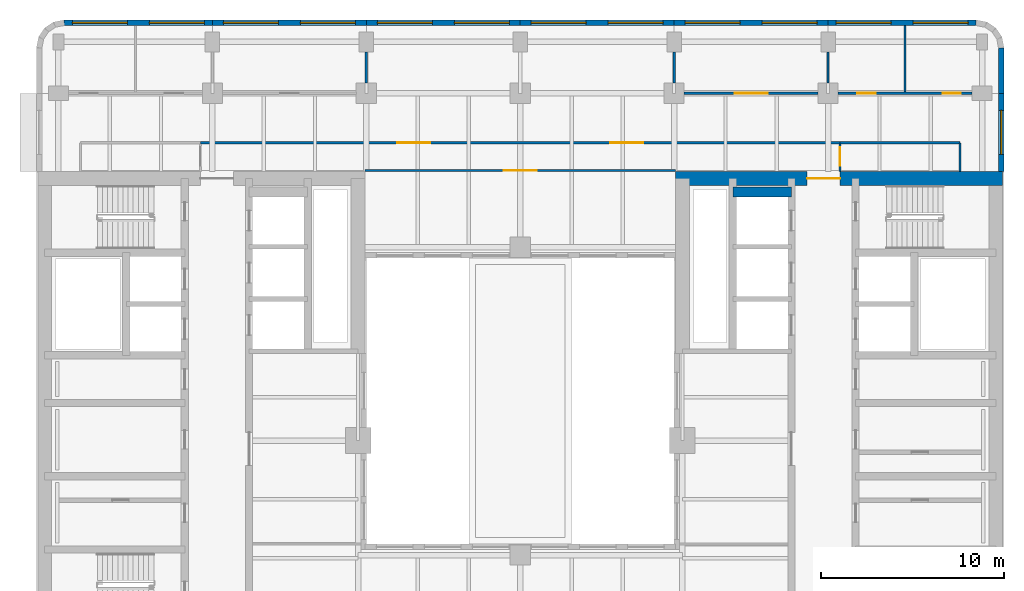
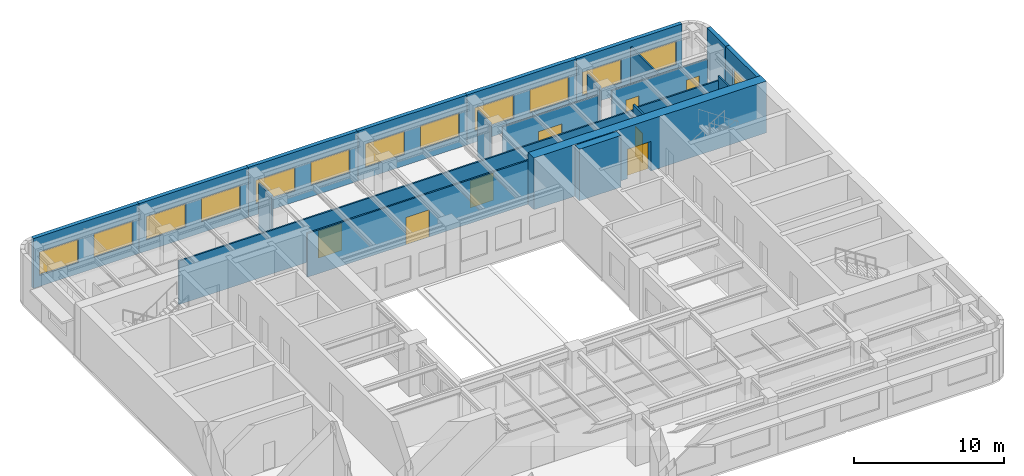
# One storey, part 7 of 11: 21 walls, 13 windows, 8 doors, 21 openings.
"""IFC4 building model written with IfcOpenShell, lengths in metres."""

from ifc_helpers import new_model, si_unit, direction, frame, frame_2d, origin, place, context, subcontext, project, spatial, rectangle, extrude, material, layer, layer_set, type_object, element, fill, save


model = new_model("IFC4")

# Units and contexts
model_context = context("Model", 3, precision=1e-05, world=origin(), true_north=direction((0.0, 1.0)))
body_context = subcontext(model_context, "Body", "Model", "MODEL_VIEW")
ifc_project = project(units=[si_unit("LENGTHUNIT", "METRE"), si_unit("AREAUNIT", "SQUARE_METRE"), si_unit("VOLUMEUNIT", "CUBIC_METRE"), si_unit("PLANEANGLEUNIT", "RADIAN"), si_unit("MASSUNIT", "GRAM", prefix="KILO")], contexts=[model_context])

# Site, building, storey
site_placement = place(None, origin())
site = spatial("IfcSite", under=ifc_project, at=site_placement, CompositionType="ELEMENT")
building_placement = place(site_placement, origin())
building = spatial("IfcBuilding", under=site, at=building_placement, Name="Claustro Exchange Tower", CompositionType="ELEMENT")
storey_placement = place(building_placement, frame((0.0, 0.0, 177.60009765625)))
storey = spatial("IfcBuildingStorey", under=building, at=storey_placement, Name="L40", CompositionType="ELEMENT", Elevation=177.60009765625)

# Wall
ifc_material_1 = material(Name="Laminated glass in aluminium frame", Category="aluminium")
ifc_layer_1 = layer(ifc_material_1, 0.1201171875)
ifc_layer_set_1 = layer_set([ifc_layer_1], Name="Laminated glass in aluminium frame")
wall_type_1 = type_object("IfcWallType", Name="P2 120 glazed partition", PredefinedType="PARTITIONING", material=ifc_layer_set_1)
wall_1_placement = place(storey_placement, frame((16.800048828125, 42.549072265625, 0.0), z_axis=(0.0, 0.0, 1.0), x_axis=(0.0, 1.0, 0.0)))
element("IfcWall", 1, at=wall_1_placement, inside=storey, type_object=wall_type_1, Name="Partition P2 L40", PredefinedType="PARTITIONING", context=body_context, shape_type="SweptSolid", body=[
    extrude(rectangle(XDim=1.701904296875, YDim=0.1201171875, at=frame_2d((0.85107421875, 0.0))), origin(), (0.0, 0.0, 1.0), 3.68994140625),
])

# Wall, opening, door
wall_2_placement = place(storey_placement, frame((34.14892578125, 42.0, 0.0), z_axis=(0.0, 0.0, 1.0), x_axis=(1.0, 0.0, 0.0)))
wall_2 = element("IfcWall", 2, at=wall_2_placement, inside=storey, type_object=wall_type_1, Name="Partition P2 L40", PredefinedType="PARTITIONING", context=body_context, shape_type="SweptSolid", body=[
    extrude(rectangle(XDim=7.302001953125, YDim=0.1201171875, at=frame_2d((3.65087890625, 0.0))), origin(), (0.0, 0.0, 1.0), 3.5498046875),
])
opening_1_placement = place(wall_2_placement, frame((2.7509765625, 0.0, 0.0)))
opening_1 = element("IfcOpeningElement", 3, at=opening_1_placement, cuts=wall_2, Name="Opening D2", PredefinedType="OPENING", context=body_context, shape_type="SweptSolid", body=[
    extrude(rectangle(XDim=1.800048828125, YDim=2.199951171875, at=frame_2d((0.89990234375, 1.10009765625))), frame((0.0, 0.070068359375, 0.0), z_axis=(0.0, -1.0, 0.0), x_axis=(1.0, 0.0, 0.0)), (0.0, 0.0, 1.0), 0.14013671875),
])
ifc_material_2 = material(Name="Timber door, oak veneer", Category="wood")
door_type_1 = type_object("IfcDoorType", Name="D2 1800 x 2200 double door", OperationType="DOUBLE_DOOR_SINGLE_SWING", PredefinedType="DOOR", material=ifc_material_2)
door_1_placement = place(opening_1_placement, origin())
door_1 = element("IfcDoor", 4, at=door_1_placement, inside=storey, type_object=door_type_1, Name="Double door D2 L40", OperationType="DOUBLE_DOOR_SINGLE_SWING", OverallHeight=2.199951171875, OverallWidth=1.800048828125, PredefinedType="DOOR", context=body_context, shape_type="SweptSolid", body=[
    extrude(rectangle(XDim=1.800048828125, YDim=2.199951171875, at=frame_2d((0.89990234375, 1.10009765625))), frame((0.0, 0.02490234375, 0.0), z_axis=(0.0, -1.0, 0.0), x_axis=(1.0, 0.0, 0.0)), (0.0, 0.0, 1.0), 0.050048828125),
])
fill(opening_1, door_1)

# Wall, openings, doors
wall_3_placement = place(storey_placement, frame((42.549072265625, 42.0, 0.0), z_axis=(0.0, 0.0, 1.0), x_axis=(1.0, 0.0, 0.0)))
wall_3 = element("IfcWall", 5, at=wall_3_placement, inside=storey, type_object=wall_type_1, Name="Partition P2 L40", PredefinedType="PARTITIONING", context=body_context, shape_type="SweptSolid", body=[
    extrude(rectangle(XDim=7.302001953125, YDim=0.1201171875, at=frame_2d((3.65087890625, 0.0))), origin(), (0.0, 0.0, 1.0), 3.5498046875),
])
opening_2_placement = place(wall_3_placement, frame((1.051025390625, 0.0, 0.0)))
opening_2 = element("IfcOpeningElement", 6, at=opening_2_placement, cuts=wall_3, Name="Opening D7", PredefinedType="OPENING", context=body_context, shape_type="SweptSolid", body=[
    extrude(rectangle(XDim=1.0, YDim=2.39990234375, at=frame_2d((0.5, 1.199951171875))), frame((0.0, 0.070068359375, 0.0), z_axis=(0.0, -1.0, 0.0), x_axis=(1.0, 0.0, 0.0)), (0.0, 0.0, 1.0), 0.14013671875),
])
opening_3_placement = place(wall_3_placement, frame((5.700927734375, 0.0, 0.0)))
opening_3 = element("IfcOpeningElement", 7, at=opening_3_placement, cuts=wall_3, Name="Opening D7", PredefinedType="OPENING", context=body_context, shape_type="SweptSolid", body=[
    extrude(rectangle(XDim=1.0, YDim=2.39990234375, at=frame_2d((0.5, 1.199951171875))), frame((0.0, 0.070068359375, 0.0), z_axis=(0.0, -1.0, 0.0), x_axis=(1.0, 0.0, 0.0)), (0.0, 0.0, 1.0), 0.14013671875),
])
ifc_material_3 = material(Name="Glass door in aluminium frame", Category="aluminium")
door_type_2 = type_object("IfcDoorType", Name="D7 1000 x 2400 glazed door", OperationType="SINGLE_SWING_LEFT", PredefinedType="DOOR", material=ifc_material_3)
door_2_placement = place(opening_2_placement, origin())
door_2 = element("IfcDoor", 8, at=door_2_placement, inside=storey, type_object=door_type_2, Name="Door D7 L40", OperationType="SINGLE_SWING_LEFT", OverallHeight=2.39990234375, OverallWidth=1.0, PredefinedType="DOOR", context=body_context, shape_type="SweptSolid", body=[
    extrude(rectangle(XDim=1.0, YDim=2.39990234375, at=frame_2d((0.5, 1.199951171875))), frame((0.0, 0.02490234375, 0.0), z_axis=(0.0, -1.0, 0.0), x_axis=(1.0, 0.0, 0.0)), (0.0, 0.0, 1.0), 0.050048828125),
])
fill(opening_2, door_2)
door_3_placement = place(opening_3_placement, origin())
door_3 = element("IfcDoor", 9, at=door_3_placement, inside=storey, type_object=door_type_2, Name="Door D7 L40", OperationType="SINGLE_SWING_LEFT", OverallHeight=2.39990234375, OverallWidth=1.0, PredefinedType="DOOR", context=body_context, shape_type="SweptSolid", body=[
    extrude(rectangle(XDim=1.0, YDim=2.39990234375, at=frame_2d((0.5, 1.199951171875))), frame((0.0, 0.02490234375, 0.0), z_axis=(0.0, -1.0, 0.0), x_axis=(1.0, 0.0, 0.0)), (0.0, 0.0, 1.0), 0.050048828125),
])
fill(opening_3, door_3)

# Walls
for number, where, z_axis, x_axis, name in (
    (10, (33.60009765625, 42.549072265625, 0.0), (0.0, 0.0, 1.0), (0.0, 1.0, 0.0), "Partition P2 L40"),
    (11, (42.0, 42.549072265625, 0.0), (0.0, 0.0, 1.0), (0.0, 1.0, 0.0), "Partition P2 L40"),
):
    element("IfcWall", number, at=place(storey_placement, frame(where, z_axis=z_axis, x_axis=x_axis)), inside=storey, type_object=wall_type_1, Name=name, PredefinedType="PARTITIONING", context=body_context, shape_type="SweptSolid", body=[
        extrude(rectangle(XDim=1.701904296875, YDim=0.1201171875, at=frame_2d((0.85107421875, 0.0))), origin(), (0.0, 0.0, 1.0), 3.68994140625),
    ])
wall_4_placement = place(storey_placement, frame((46.199951171875, 42.05810546875, 0.0), z_axis=(0.0, 0.0, 1.0), x_axis=(0.0, 1.0, 0.0)))
element("IfcWall", 12, at=wall_4_placement, inside=storey, type_object=wall_type_1, Name="Partition P2 L40", PredefinedType="PARTITIONING", context=body_context, shape_type="SweptSolid", body=[
    extrude(rectangle(XDim=3.643798828125, YDim=0.1201171875, at=frame_2d((1.82177734375, 0.0))), origin(), (0.0, 0.0, 1.0), 3.5498046875),
])

# Wall, openings, doors
wall_5_placement = place(storey_placement, frame((7.748046875, 39.300048828125, 0.0), z_axis=(0.0, 0.0, 1.0), x_axis=(1.0, 0.0, 0.0)))
wall_5 = element("IfcWall", 13, at=wall_5_placement, inside=storey, type_object=wall_type_1, Name="Partition P2 L40", PredefinedType="PARTITIONING", context=body_context, shape_type="SweptSolid", body=[
    extrude(rectangle(XDim=34.904052734375, YDim=0.1201171875, at=frame_2d((17.4521484375, 0.0))), origin(), (0.0, 0.0, 1.0), 3.5498046875),
])
opening_4_placement = place(wall_5_placement, frame((10.7353515625, 0.0, 0.0)))
opening_4 = element("IfcOpeningElement", 14, at=opening_4_placement, cuts=wall_5, Name="Opening D2", PredefinedType="OPENING", context=body_context, shape_type="SweptSolid", body=[
    extrude(rectangle(XDim=1.800048828125, YDim=2.199951171875, at=frame_2d((0.89990234375, 1.10009765625))), frame((0.0, 0.070068359375, 0.0), z_axis=(0.0, -1.0, 0.0), x_axis=(1.0, 0.0, 0.0)), (0.0, 0.0, 1.0), 0.14013671875),
])
opening_5_placement = place(wall_5_placement, frame((22.36865234375, 0.0, 0.0)))
opening_5 = element("IfcOpeningElement", 15, at=opening_5_placement, cuts=wall_5, Name="Opening D2", PredefinedType="OPENING", context=body_context, shape_type="SweptSolid", body=[
    extrude(rectangle(XDim=1.800048828125, YDim=2.199951171875, at=frame_2d((0.89990234375, 1.10009765625))), frame((0.0, 0.070068359375, 0.0), z_axis=(0.0, -1.0, 0.0), x_axis=(1.0, 0.0, 0.0)), (0.0, 0.0, 1.0), 0.14013671875),
])
door_4_placement = place(opening_4_placement, origin())
door_4 = element("IfcDoor", 16, at=door_4_placement, inside=storey, type_object=door_type_1, Name="Double door D2 L40", OperationType="DOUBLE_DOOR_SINGLE_SWING", OverallHeight=2.199951171875, OverallWidth=1.800048828125, PredefinedType="DOOR", context=body_context, shape_type="SweptSolid", body=[
    extrude(rectangle(XDim=1.800048828125, YDim=2.199951171875, at=frame_2d((0.89990234375, 1.10009765625))), frame((0.0, 0.02490234375, 0.0), z_axis=(0.0, -1.0, 0.0), x_axis=(1.0, 0.0, 0.0)), (0.0, 0.0, 1.0), 0.050048828125),
])
fill(opening_4, door_4)
door_5_placement = place(opening_5_placement, origin())
door_5 = element("IfcDoor", 17, at=door_5_placement, inside=storey, type_object=door_type_1, Name="Double door D2 L40", OperationType="DOUBLE_DOOR_SINGLE_SWING", OverallHeight=2.199951171875, OverallWidth=1.800048828125, PredefinedType="DOOR", context=body_context, shape_type="SweptSolid", body=[
    extrude(rectangle(XDim=1.800048828125, YDim=2.199951171875, at=frame_2d((0.89990234375, 1.10009765625))), frame((0.0, 0.02490234375, 0.0), z_axis=(0.0, -1.0, 0.0), x_axis=(1.0, 0.0, 0.0)), (0.0, 0.0, 1.0), 0.050048828125),
])
fill(opening_5, door_5)

# Wall, opening, door
wall_6_placement = place(storey_placement, frame((42.64990234375, 37.72412109375, 0.0), z_axis=(0.0, 0.0, 1.0), x_axis=(0.0, 1.0, 0.0)))
wall_6 = element("IfcWall", 18, at=wall_6_placement, inside=storey, type_object=wall_type_1, Name="Partition P2 L40", PredefinedType="PARTITIONING", context=body_context, shape_type="SweptSolid", body=[
    extrude(rectangle(XDim=1.517822265625, YDim=0.1201171875, at=frame_2d((0.7587890625, 0.0))), origin(), (0.0, 0.0, 1.0), 4.0498046875),
])
opening_6_placement = place(wall_6_placement, frame((0.325927734375, 0.0, 0.0)))
opening_6 = element("IfcOpeningElement", 19, at=opening_6_placement, cuts=wall_6, Name="Opening D7", PredefinedType="OPENING", context=body_context, shape_type="SweptSolid", body=[
    extrude(rectangle(XDim=1.0, YDim=2.39990234375, at=frame_2d((0.5, 1.199951171875))), frame((0.0, 0.070068359375, 0.0), z_axis=(0.0, -1.0, 0.0), x_axis=(1.0, 0.0, 0.0)), (0.0, 0.0, 1.0), 0.14013671875),
])
door_6_placement = place(opening_6_placement, frame((1.0, 0.0, 0.0), z_axis=(0.0, 0.0, 1.0), x_axis=(-1.0, 0.0, 0.0)))
door_6 = element("IfcDoor", 20, at=door_6_placement, inside=storey, type_object=door_type_2, Name="Door D7 L40", OperationType="SINGLE_SWING_RIGHT", OverallHeight=2.39990234375, OverallWidth=1.0, PredefinedType="DOOR", context=body_context, shape_type="SweptSolid", body=[
    extrude(rectangle(XDim=1.0, YDim=2.39990234375, at=frame_2d((0.5, 1.199951171875))), frame((0.0, 0.02490234375, 0.0), z_axis=(0.0, -1.0, 0.0), x_axis=(1.0, 0.0, 0.0)), (0.0, 0.0, 1.0), 0.050048828125),
])
fill(opening_6, door_6)

# Walls
wall_7_placement = place(storey_placement, frame((42.64794921875, 39.300048828125, 0.0), z_axis=(0.0, 0.0, 1.0), x_axis=(1.0, 0.0, 0.0)))
element("IfcWall", 21, at=wall_7_placement, inside=storey, type_object=wall_type_1, Name="Partition P2 L40", PredefinedType="PARTITIONING", context=body_context, shape_type="SweptSolid", body=[
    extrude(rectangle(XDim=6.552001953125, YDim=0.1201171875, at=frame_2d((3.27587890625, 0.0))), origin(), (0.0, 0.0, 1.0), 3.68994140625),
])
wall_8_placement = place(storey_placement, frame((49.199951171875, 37.72412109375, 0.0), z_axis=(0.0, 0.0, 1.0), x_axis=(0.0, 1.0, 0.0)))
element("IfcWall", 22, at=wall_8_placement, inside=storey, type_object=wall_type_1, Name="Partition P2 L40", PredefinedType="PARTITIONING", context=body_context, shape_type="SweptSolid", body=[
    extrude(rectangle(XDim=1.575927734375, YDim=0.1201171875, at=frame_2d((0.7880859375, 0.0))), origin(), (0.0, 0.0, 1.0), 4.0498046875),
])

# Wall, opening, door
wall_9_placement = place(storey_placement, frame((16.72509765625, 37.784912109375, 0.0), z_axis=(0.0, 0.0, 1.0), x_axis=(1.0, 0.0, 0.0)))
wall_9 = element("IfcWall", 23, at=wall_9_placement, inside=storey, type_object=wall_type_1, Name="Partition P2 L40", PredefinedType="PARTITIONING", context=body_context, shape_type="SweptSolid", body=[
    extrude(rectangle(XDim=16.949951171875, YDim=0.1201171875, at=frame_2d((8.47509765625, 0.0))), origin(), (0.0, 0.0, 1.0), 3.5498046875),
])
opening_7_placement = place(wall_9_placement, frame((7.574951171875, 0.0, 0.0)))
opening_7 = element("IfcOpeningElement", 24, at=opening_7_placement, cuts=wall_9, Name="Opening D2", PredefinedType="OPENING", context=body_context, shape_type="SweptSolid", body=[
    extrude(rectangle(XDim=1.800048828125, YDim=2.199951171875, at=frame_2d((0.89990234375, 1.10009765625))), frame((0.0, 0.070068359375, 0.0), z_axis=(0.0, -1.0, 0.0), x_axis=(1.0, 0.0, 0.0)), (0.0, 0.0, 1.0), 0.14013671875),
])
door_7_placement = place(opening_7_placement, frame((1.800048828125, 0.0, 0.0), z_axis=(0.0, 0.0, 1.0), x_axis=(-1.0, 0.0, 0.0)))
door_7 = element("IfcDoor", 25, at=door_7_placement, inside=storey, type_object=door_type_1, Name="Double door D2 L40", OperationType="DOUBLE_DOOR_SINGLE_SWING", OverallHeight=2.199951171875, OverallWidth=1.800048828125, PredefinedType="DOOR", context=body_context, shape_type="SweptSolid", body=[
    extrude(rectangle(XDim=1.800048828125, YDim=2.199951171875, at=frame_2d((0.89990234375, 1.10009765625))), frame((0.0, 0.02490234375, 0.0), z_axis=(0.0, -1.0, 0.0), x_axis=(1.0, 0.0, 0.0)), (0.0, 0.0, 1.0), 0.050048828125),
])
fill(opening_7, door_7)

# Wall, openings, windows
ifc_material_4 = material(Name="Concrete HA-40 (C40/50), precast, white cement, acid-etched", Category="concrete")
ifc_layer_2 = layer(ifc_material_4, 0.300048828125)
ifc_layer_set_2 = layer_set([ifc_layer_2], Name="Concrete HA-40 (C40/50), precast, white cement, acid-etched")
wall_type_2 = type_object("IfcWallType", Name="PC1 300 precast concrete pier panel", PredefinedType="SOLIDWALL", material=ifc_layer_set_2)
wall_10_placement = place(storey_placement, frame((0.314697265625, 45.85009765625, 0.0), z_axis=(0.0, 0.0, 1.0), x_axis=(1.0, 0.0, 0.0)))
wall_10 = element("IfcWall", 26, at=wall_10_placement, inside=storey, type_object=wall_type_2, Name="Precast pier panel PC1 L40", PredefinedType="SOLIDWALL", context=body_context, shape_type="SweptSolid", body=[
    extrude(rectangle(XDim=8.085205078125, YDim=0.300048828125, at=frame_2d((4.04248046875, 0.0))), origin(), (0.0, 0.0, 1.0), 4.0498046875),
])
opening_8_placement = place(wall_10_placement, frame((0.442626953125, 0.0, 0.89990234375)))
opening_8 = element("IfcOpeningElement", 27, at=opening_8_placement, cuts=wall_10, Name="Opening W1", PredefinedType="OPENING", context=body_context, shape_type="SweptSolid", body=[
    extrude(rectangle(XDim=3.0, YDim=1.89990234375, at=frame_2d((1.5, 0.949951171875))), frame((0.0, 0.159912109375, 0.0), z_axis=(0.0, -1.0, 0.0), x_axis=(1.0, 0.0, 0.0)), (0.0, 0.0, 1.0), 0.320068359375),
])
opening_9_placement = place(wall_10_placement, frame((4.642578125, 0.0, 0.89990234375)))
opening_9 = element("IfcOpeningElement", 28, at=opening_9_placement, cuts=wall_10, Name="Opening W1", PredefinedType="OPENING", context=body_context, shape_type="SweptSolid", body=[
    extrude(rectangle(XDim=3.0, YDim=1.89990234375, at=frame_2d((1.5, 0.949951171875))), frame((0.0, 0.159912109375, 0.0), z_axis=(0.0, -1.0, 0.0), x_axis=(1.0, 0.0, 0.0)), (0.0, 0.0, 1.0), 0.320068359375),
])
ifc_material_5 = material(Name="Aluminium frame, clear double glazing", Category="aluminium")
window_type_1 = type_object("IfcWindowType", Name="W1 3000 x 1900 window", PartitioningType="SINGLE_PANEL", PredefinedType="WINDOW", material=ifc_material_5)
window_1_placement = place(opening_8_placement, origin())
window_1 = element("IfcWindow", 29, at=window_1_placement, inside=storey, type_object=window_type_1, Name="Window W1 L40", OverallHeight=1.89990234375, OverallWidth=3.0, PartitioningType="SINGLE_PANEL", PredefinedType="WINDOW", context=body_context, shape_type="SweptSolid", body=[
    extrude(rectangle(XDim=3.0, YDim=1.89990234375, at=frame_2d((1.5, 0.949951171875))), frame((0.0, 0.030029296875, 0.0), z_axis=(0.0, -1.0, 0.0), x_axis=(1.0, 0.0, 0.0)), (0.0, 0.0, 1.0), 0.06005859375),
])
fill(opening_8, window_1)
window_2_placement = place(opening_9_placement, origin())
window_2 = element("IfcWindow", 30, at=window_2_placement, inside=storey, type_object=window_type_1, Name="Window W1 L40", OverallHeight=1.89990234375, OverallWidth=3.0, PartitioningType="SINGLE_PANEL", PredefinedType="WINDOW", context=body_context, shape_type="SweptSolid", body=[
    extrude(rectangle(XDim=3.0, YDim=1.89990234375, at=frame_2d((1.5, 0.949951171875))), frame((0.0, 0.030029296875, 0.0), z_axis=(0.0, -1.0, 0.0), x_axis=(1.0, 0.0, 0.0)), (0.0, 0.0, 1.0), 0.06005859375),
])
fill(opening_9, window_2)

wall_11_placement = place(storey_placement, frame((8.39990234375, 45.85009765625, 0.0), z_axis=(0.0, 0.0, 1.0), x_axis=(1.0, 0.0, 0.0)))
wall_11 = element("IfcWall", 31, at=wall_11_placement, inside=storey, type_object=wall_type_2, Name="Precast pier panel PC1 L40", PredefinedType="SOLIDWALL", context=body_context, shape_type="SweptSolid", body=[
    extrude(rectangle(XDim=8.400146484375, YDim=0.300048828125, at=frame_2d((4.2001953125, 0.0))), origin(), (0.0, 0.0, 1.0), 4.0498046875),
])
opening_10_placement = place(wall_11_placement, frame((0.60009765625, 0.0, 0.89990234375)))
opening_10 = element("IfcOpeningElement", 32, at=opening_10_placement, cuts=wall_11, Name="Opening W1", PredefinedType="OPENING", context=body_context, shape_type="SweptSolid", body=[
    extrude(rectangle(XDim=3.0, YDim=1.89990234375, at=frame_2d((1.5, 0.949951171875))), frame((0.0, 0.159912109375, 0.0), z_axis=(0.0, -1.0, 0.0), x_axis=(1.0, 0.0, 0.0)), (0.0, 0.0, 1.0), 0.320068359375),
])
opening_11_placement = place(wall_11_placement, frame((4.800048828125, 0.0, 0.89990234375)))
opening_11 = element("IfcOpeningElement", 33, at=opening_11_placement, cuts=wall_11, Name="Opening W1", PredefinedType="OPENING", context=body_context, shape_type="SweptSolid", body=[
    extrude(rectangle(XDim=3.0, YDim=1.89990234375, at=frame_2d((1.5, 0.949951171875))), frame((0.0, 0.159912109375, 0.0), z_axis=(0.0, -1.0, 0.0), x_axis=(1.0, 0.0, 0.0)), (0.0, 0.0, 1.0), 0.320068359375),
])
window_3_placement = place(opening_10_placement, origin())
window_3 = element("IfcWindow", 34, at=window_3_placement, inside=storey, type_object=window_type_1, Name="Window W1 L40", OverallHeight=1.89990234375, OverallWidth=3.0, PartitioningType="SINGLE_PANEL", PredefinedType="WINDOW", context=body_context, shape_type="SweptSolid", body=[
    extrude(rectangle(XDim=3.0, YDim=1.89990234375, at=frame_2d((1.5, 0.949951171875))), frame((0.0, 0.030029296875, 0.0), z_axis=(0.0, -1.0, 0.0), x_axis=(1.0, 0.0, 0.0)), (0.0, 0.0, 1.0), 0.06005859375),
])
fill(opening_10, window_3)
window_4_placement = place(opening_11_placement, origin())
window_4 = element("IfcWindow", 35, at=window_4_placement, inside=storey, type_object=window_type_1, Name="Window W1 L40", OverallHeight=1.89990234375, OverallWidth=3.0, PartitioningType="SINGLE_PANEL", PredefinedType="WINDOW", context=body_context, shape_type="SweptSolid", body=[
    extrude(rectangle(XDim=3.0, YDim=1.89990234375, at=frame_2d((1.5, 0.949951171875))), frame((0.0, 0.030029296875, 0.0), z_axis=(0.0, -1.0, 0.0), x_axis=(1.0, 0.0, 0.0)), (0.0, 0.0, 1.0), 0.06005859375),
])
fill(opening_11, window_4)

wall_12_placement = place(storey_placement, frame((16.800048828125, 45.85009765625, 0.0), z_axis=(0.0, 0.0, 1.0), x_axis=(1.0, 0.0, 0.0)))
wall_12 = element("IfcWall", 36, at=wall_12_placement, inside=storey, type_object=wall_type_2, Name="Precast pier panel PC1 L40", PredefinedType="SOLIDWALL", context=body_context, shape_type="SweptSolid", body=[
    extrude(rectangle(XDim=8.39990234375, YDim=0.300048828125, at=frame_2d((4.199951171875, 0.0))), origin(), (0.0, 0.0, 1.0), 4.0498046875),
])
opening_12_placement = place(wall_12_placement, frame((0.60009765625, 0.0, 0.89990234375)))
opening_12 = element("IfcOpeningElement", 37, at=opening_12_placement, cuts=wall_12, Name="Opening W1", PredefinedType="OPENING", context=body_context, shape_type="SweptSolid", body=[
    extrude(rectangle(XDim=3.0, YDim=1.89990234375, at=frame_2d((1.5, 0.949951171875))), frame((0.0, 0.159912109375, 0.0), z_axis=(0.0, -1.0, 0.0), x_axis=(1.0, 0.0, 0.0)), (0.0, 0.0, 1.0), 0.320068359375),
])
opening_13_placement = place(wall_12_placement, frame((4.800048828125, 0.0, 0.89990234375)))
opening_13 = element("IfcOpeningElement", 38, at=opening_13_placement, cuts=wall_12, Name="Opening W1", PredefinedType="OPENING", context=body_context, shape_type="SweptSolid", body=[
    extrude(rectangle(XDim=3.0, YDim=1.89990234375, at=frame_2d((1.5, 0.949951171875))), frame((0.0, 0.159912109375, 0.0), z_axis=(0.0, -1.0, 0.0), x_axis=(1.0, 0.0, 0.0)), (0.0, 0.0, 1.0), 0.320068359375),
])
window_5_placement = place(opening_12_placement, origin())
window_5 = element("IfcWindow", 39, at=window_5_placement, inside=storey, type_object=window_type_1, Name="Window W1 L40", OverallHeight=1.89990234375, OverallWidth=3.0, PartitioningType="SINGLE_PANEL", PredefinedType="WINDOW", context=body_context, shape_type="SweptSolid", body=[
    extrude(rectangle(XDim=3.0, YDim=1.89990234375, at=frame_2d((1.5, 0.949951171875))), frame((0.0, 0.030029296875, 0.0), z_axis=(0.0, -1.0, 0.0), x_axis=(1.0, 0.0, 0.0)), (0.0, 0.0, 1.0), 0.06005859375),
])
fill(opening_12, window_5)
window_6_placement = place(opening_13_placement, origin())
window_6 = element("IfcWindow", 40, at=window_6_placement, inside=storey, type_object=window_type_1, Name="Window W1 L40", OverallHeight=1.89990234375, OverallWidth=3.0, PartitioningType="SINGLE_PANEL", PredefinedType="WINDOW", context=body_context, shape_type="SweptSolid", body=[
    extrude(rectangle(XDim=3.0, YDim=1.89990234375, at=frame_2d((1.5, 0.949951171875))), frame((0.0, 0.030029296875, 0.0), z_axis=(0.0, -1.0, 0.0), x_axis=(1.0, 0.0, 0.0)), (0.0, 0.0, 1.0), 0.06005859375),
])
fill(opening_13, window_6)

wall_13_placement = place(storey_placement, frame((25.199951171875, 45.85009765625, 0.0), z_axis=(0.0, 0.0, 1.0), x_axis=(1.0, 0.0, 0.0)))
wall_13 = element("IfcWall", 41, at=wall_13_placement, inside=storey, type_object=wall_type_2, Name="Precast pier panel PC1 L40", PredefinedType="SOLIDWALL", context=body_context, shape_type="SweptSolid", body=[
    extrude(rectangle(XDim=8.400146484375, YDim=0.300048828125, at=frame_2d((4.2001953125, 0.0))), origin(), (0.0, 0.0, 1.0), 4.0498046875),
])
opening_14_placement = place(wall_13_placement, frame((0.60009765625, 0.0, 0.89990234375)))
opening_14 = element("IfcOpeningElement", 42, at=opening_14_placement, cuts=wall_13, Name="Opening W1", PredefinedType="OPENING", context=body_context, shape_type="SweptSolid", body=[
    extrude(rectangle(XDim=3.0, YDim=1.89990234375, at=frame_2d((1.5, 0.949951171875))), frame((0.0, 0.159912109375, 0.0), z_axis=(0.0, -1.0, 0.0), x_axis=(1.0, 0.0, 0.0)), (0.0, 0.0, 1.0), 0.320068359375),
])
opening_15_placement = place(wall_13_placement, frame((4.800048828125, 0.0, 0.89990234375)))
opening_15 = element("IfcOpeningElement", 43, at=opening_15_placement, cuts=wall_13, Name="Opening W1", PredefinedType="OPENING", context=body_context, shape_type="SweptSolid", body=[
    extrude(rectangle(XDim=3.0, YDim=1.89990234375, at=frame_2d((1.5, 0.949951171875))), frame((0.0, 0.159912109375, 0.0), z_axis=(0.0, -1.0, 0.0), x_axis=(1.0, 0.0, 0.0)), (0.0, 0.0, 1.0), 0.320068359375),
])
window_7_placement = place(opening_14_placement, origin())
window_7 = element("IfcWindow", 44, at=window_7_placement, inside=storey, type_object=window_type_1, Name="Window W1 L40", OverallHeight=1.89990234375, OverallWidth=3.0, PartitioningType="SINGLE_PANEL", PredefinedType="WINDOW", context=body_context, shape_type="SweptSolid", body=[
    extrude(rectangle(XDim=3.0, YDim=1.89990234375, at=frame_2d((1.5, 0.949951171875))), frame((0.0, 0.030029296875, 0.0), z_axis=(0.0, -1.0, 0.0), x_axis=(1.0, 0.0, 0.0)), (0.0, 0.0, 1.0), 0.06005859375),
])
fill(opening_14, window_7)
window_8_placement = place(opening_15_placement, origin())
window_8 = element("IfcWindow", 45, at=window_8_placement, inside=storey, type_object=window_type_1, Name="Window W1 L40", OverallHeight=1.89990234375, OverallWidth=3.0, PartitioningType="SINGLE_PANEL", PredefinedType="WINDOW", context=body_context, shape_type="SweptSolid", body=[
    extrude(rectangle(XDim=3.0, YDim=1.89990234375, at=frame_2d((1.5, 0.949951171875))), frame((0.0, 0.030029296875, 0.0), z_axis=(0.0, -1.0, 0.0), x_axis=(1.0, 0.0, 0.0)), (0.0, 0.0, 1.0), 0.06005859375),
])
fill(opening_15, window_8)

wall_14_placement = place(storey_placement, frame((33.60009765625, 45.85009765625, 0.0), z_axis=(0.0, 0.0, 1.0), x_axis=(1.0, 0.0, 0.0)))
wall_14 = element("IfcWall", 46, at=wall_14_placement, inside=storey, type_object=wall_type_2, Name="Precast pier panel PC1 L40", PredefinedType="SOLIDWALL", context=body_context, shape_type="SweptSolid", body=[
    extrude(rectangle(XDim=8.39990234375, YDim=0.300048828125, at=frame_2d((4.199951171875, 0.0))), origin(), (0.0, 0.0, 1.0), 4.0498046875),
])
opening_16_placement = place(wall_14_placement, frame((0.60009765625, 0.0, 0.89990234375)))
opening_16 = element("IfcOpeningElement", 47, at=opening_16_placement, cuts=wall_14, Name="Opening W1", PredefinedType="OPENING", context=body_context, shape_type="SweptSolid", body=[
    extrude(rectangle(XDim=3.0, YDim=1.89990234375, at=frame_2d((1.5, 0.949951171875))), frame((0.0, 0.159912109375, 0.0), z_axis=(0.0, -1.0, 0.0), x_axis=(1.0, 0.0, 0.0)), (0.0, 0.0, 1.0), 0.320068359375),
])
opening_17_placement = place(wall_14_placement, frame((4.800048828125, 0.0, 0.89990234375)))
opening_17 = element("IfcOpeningElement", 48, at=opening_17_placement, cuts=wall_14, Name="Opening W1", PredefinedType="OPENING", context=body_context, shape_type="SweptSolid", body=[
    extrude(rectangle(XDim=3.0, YDim=1.89990234375, at=frame_2d((1.5, 0.949951171875))), frame((0.0, 0.159912109375, 0.0), z_axis=(0.0, -1.0, 0.0), x_axis=(1.0, 0.0, 0.0)), (0.0, 0.0, 1.0), 0.320068359375),
])
window_9_placement = place(opening_16_placement, origin())
window_9 = element("IfcWindow", 49, at=window_9_placement, inside=storey, type_object=window_type_1, Name="Window W1 L40", OverallHeight=1.89990234375, OverallWidth=3.0, PartitioningType="SINGLE_PANEL", PredefinedType="WINDOW", context=body_context, shape_type="SweptSolid", body=[
    extrude(rectangle(XDim=3.0, YDim=1.89990234375, at=frame_2d((1.5, 0.949951171875))), frame((0.0, 0.030029296875, 0.0), z_axis=(0.0, -1.0, 0.0), x_axis=(1.0, 0.0, 0.0)), (0.0, 0.0, 1.0), 0.06005859375),
])
fill(opening_16, window_9)
window_10_placement = place(opening_17_placement, origin())
window_10 = element("IfcWindow", 50, at=window_10_placement, inside=storey, type_object=window_type_1, Name="Window W1 L40", OverallHeight=1.89990234375, OverallWidth=3.0, PartitioningType="SINGLE_PANEL", PredefinedType="WINDOW", context=body_context, shape_type="SweptSolid", body=[
    extrude(rectangle(XDim=3.0, YDim=1.89990234375, at=frame_2d((1.5, 0.949951171875))), frame((0.0, 0.030029296875, 0.0), z_axis=(0.0, -1.0, 0.0), x_axis=(1.0, 0.0, 0.0)), (0.0, 0.0, 1.0), 0.06005859375),
])
fill(opening_17, window_10)

wall_15_placement = place(storey_placement, frame((42.0, 45.85009765625, 0.0), z_axis=(0.0, 0.0, 1.0), x_axis=(1.0, 0.0, 0.0)))
wall_15 = element("IfcWall", 51, at=wall_15_placement, inside=storey, type_object=wall_type_2, Name="Precast pier panel PC1 L40", PredefinedType="SOLIDWALL", context=body_context, shape_type="SweptSolid", body=[
    extrude(rectangle(XDim=8.085205078125, YDim=0.300048828125, at=frame_2d((4.04248046875, 0.0))), origin(), (0.0, 0.0, 1.0), 4.0498046875),
])
opening_18_placement = place(wall_15_placement, frame((0.442626953125, 0.0, 0.89990234375)))
opening_18 = element("IfcOpeningElement", 52, at=opening_18_placement, cuts=wall_15, Name="Opening W1", PredefinedType="OPENING", context=body_context, shape_type="SweptSolid", body=[
    extrude(rectangle(XDim=3.0, YDim=1.89990234375, at=frame_2d((1.5, 0.949951171875))), frame((0.0, 0.159912109375, 0.0), z_axis=(0.0, -1.0, 0.0), x_axis=(1.0, 0.0, 0.0)), (0.0, 0.0, 1.0), 0.320068359375),
])
opening_19_placement = place(wall_15_placement, frame((4.642578125, 0.0, 0.89990234375)))
opening_19 = element("IfcOpeningElement", 53, at=opening_19_placement, cuts=wall_15, Name="Opening W1", PredefinedType="OPENING", context=body_context, shape_type="SweptSolid", body=[
    extrude(rectangle(XDim=3.0, YDim=1.89990234375, at=frame_2d((1.5, 0.949951171875))), frame((0.0, 0.159912109375, 0.0), z_axis=(0.0, -1.0, 0.0), x_axis=(1.0, 0.0, 0.0)), (0.0, 0.0, 1.0), 0.320068359375),
])
window_11_placement = place(opening_18_placement, origin())
window_11 = element("IfcWindow", 54, at=window_11_placement, inside=storey, type_object=window_type_1, Name="Window W1 L40", OverallHeight=1.89990234375, OverallWidth=3.0, PartitioningType="SINGLE_PANEL", PredefinedType="WINDOW", context=body_context, shape_type="SweptSolid", body=[
    extrude(rectangle(XDim=3.0, YDim=1.89990234375, at=frame_2d((1.5, 0.949951171875))), frame((0.0, 0.030029296875, 0.0), z_axis=(0.0, -1.0, 0.0), x_axis=(1.0, 0.0, 0.0)), (0.0, 0.0, 1.0), 0.06005859375),
])
fill(opening_18, window_11)
window_12_placement = place(opening_19_placement, origin())
window_12 = element("IfcWindow", 55, at=window_12_placement, inside=storey, type_object=window_type_1, Name="Window W1 L40", OverallHeight=1.89990234375, OverallWidth=3.0, PartitioningType="SINGLE_PANEL", PredefinedType="WINDOW", context=body_context, shape_type="SweptSolid", body=[
    extrude(rectangle(XDim=3.0, YDim=1.89990234375, at=frame_2d((1.5, 0.949951171875))), frame((0.0, 0.030029296875, 0.0), z_axis=(0.0, -1.0, 0.0), x_axis=(1.0, 0.0, 0.0)), (0.0, 0.0, 1.0), 0.06005859375),
])
fill(opening_19, window_12)

# Wall
wall_16_placement = place(storey_placement, frame((51.449951171875, 44.485107421875, 0.0), z_axis=(0.0, 0.0, 1.0), x_axis=(0.0, -1.0, 0.0)))
element("IfcWall", 56, at=wall_16_placement, inside=storey, type_object=wall_type_2, Name="Precast pier panel PC1 L40", PredefinedType="SOLIDWALL", context=body_context, shape_type="SweptSolid", body=[
    extrude(rectangle(XDim=2.485107421875, YDim=0.300048828125, at=frame_2d((1.24267578125, 0.0))), origin(), (0.0, 0.0, 1.0), 4.0498046875),
])

# Wall, opening, window
wall_17_placement = place(storey_placement, frame((51.449951171875, 42.0, 0.0), z_axis=(0.0, 0.0, 1.0), x_axis=(0.0, -1.0, 0.0)))
wall_17 = element("IfcWall", 57, at=wall_17_placement, inside=storey, type_object=wall_type_2, Name="Precast pier panel PC1 L40", PredefinedType="SOLIDWALL", context=body_context, shape_type="SweptSolid", body=[
    extrude(rectangle(XDim=4.27490234375, YDim=0.300048828125, at=frame_2d((2.137451171875, 0.0))), origin(), (0.0, 0.0, 1.0), 4.0498046875),
])
opening_20_placement = place(wall_17_placement, frame((0.9375, 0.0, 0.89990234375)))
opening_20 = element("IfcOpeningElement", 58, at=opening_20_placement, cuts=wall_17, Name="Opening W2", PredefinedType="OPENING", context=body_context, shape_type="SweptSolid", body=[
    extrude(rectangle(XDim=2.39990234375, YDim=1.89990234375, at=frame_2d((1.199951171875, 0.949951171875))), frame((0.0, 0.159912109375, 0.0), z_axis=(0.0, -1.0, 0.0), x_axis=(1.0, 0.0, 0.0)), (0.0, 0.0, 1.0), 0.320068359375),
])
ifc_material_6 = material(Name="Aluminium frame, clear double glazing", Category="aluminium")
window_type_2 = type_object("IfcWindowType", Name="W2 2400 x 1900 window", PartitioningType="SINGLE_PANEL", PredefinedType="WINDOW", material=ifc_material_6)
window_13_placement = place(opening_20_placement, origin())
window_13 = element("IfcWindow", 59, at=window_13_placement, inside=storey, type_object=window_type_2, Name="Window W2 L40", OverallHeight=1.89990234375, OverallWidth=2.39990234375, PartitioningType="SINGLE_PANEL", PredefinedType="WINDOW", context=body_context, shape_type="SweptSolid", body=[
    extrude(rectangle(XDim=2.39990234375, YDim=1.89990234375, at=frame_2d((1.199951171875, 0.949951171875))), frame((0.0, 0.030029296875, 0.0), z_axis=(0.0, -1.0, 0.0), x_axis=(1.0, 0.0, 0.0)), (0.0, 0.0, 1.0), 0.06005859375),
])
fill(opening_20, window_13)

# Wall, opening, door
ifc_material_7 = material(Name="Concrete HA-70 (C70/85)", Category="concrete")
ifc_layer_3 = layer(ifc_material_7, 0.75)
ifc_layer_set_3 = layer_set([ifc_layer_3], Name="Concrete HA-70 (C70/85)")
wall_type_3 = type_object("IfcWallType", Name="SW2 750 core shear wall", PredefinedType="SHEAR", material=ifc_layer_set_3)
wall_18_placement = place(storey_placement, frame((33.675048828125, 37.35009765625, 0.0), z_axis=(0.0, 0.0, 1.0), x_axis=(1.0, 0.0, 0.0)))
wall_18 = element("IfcWall", 60, at=wall_18_placement, inside=storey, type_object=wall_type_3, Name="Core wall SW2 E core N face L40", PredefinedType="SHEAR", context=body_context, shape_type="SweptSolid", body=[
    extrude(rectangle(XDim=17.849853515625, YDim=0.75, at=frame_2d((8.9248046875, 0.0))), origin(), (0.0, 0.0, 1.0), 4.199951171875),
])
opening_21_placement = place(wall_18_placement, frame((7.175048828125, 0.0, 0.0)))
opening_21 = element("IfcOpeningElement", 61, at=opening_21_placement, cuts=wall_18, Name="Opening D3", PredefinedType="OPENING", context=body_context, shape_type="SweptSolid", body=[
    extrude(rectangle(XDim=1.800048828125, YDim=2.39990234375, at=frame_2d((0.89990234375, 1.199951171875))), frame((0.0, 0.385009765625, 0.0), z_axis=(0.0, -1.0, 0.0), x_axis=(1.0, 0.0, 0.0)), (0.0, 0.0, 1.0), 0.77001953125),
])
ifc_material_8 = material(Name="Steel fire door, painted", Category="steel")
door_type_3 = type_object("IfcDoorType", Name="D3 1800 x 2400 fire-rated lobby double door", OperationType="DOUBLE_DOOR_SINGLE_SWING", PredefinedType="DOOR", material=ifc_material_8)
door_8_placement = place(opening_21_placement, frame((1.800048828125, 0.0, 0.0), z_axis=(0.0, 0.0, 1.0), x_axis=(-1.0, 0.0, 0.0)))
door_8 = element("IfcDoor", 62, at=door_8_placement, inside=storey, type_object=door_type_3, Name="Lift lobby door D3 L40", OperationType="DOUBLE_DOOR_SINGLE_SWING", OverallHeight=2.39990234375, OverallWidth=1.800048828125, PredefinedType="DOOR", context=body_context, shape_type="SweptSolid", body=[
    extrude(rectangle(XDim=1.800048828125, YDim=2.39990234375, at=frame_2d((0.89990234375, 1.199951171875))), frame((0.0, 0.02490234375, 0.0), z_axis=(0.0, -1.0, 0.0), x_axis=(1.0, 0.0, 0.0)), (0.0, 0.0, 1.0), 0.050048828125),
])
fill(opening_21, door_8)

# Wall
ifc_material_9 = material(Name="Concrete HA-50 (C50/60)", Category="concrete")
ifc_layer_4 = layer(ifc_material_9, 0.550048828125)
ifc_layer_set_4 = layer_set([ifc_layer_4], Name="Concrete HA-50 (C50/60)")
wall_type_4 = type_object("IfcWallType", Name="SW6 550 lift shaft end wall", PredefinedType="SHEAR", material=ifc_layer_set_4)
wall_19_placement = place(storey_placement, frame((40.0, 36.625, 0.0), z_axis=(0.0, 0.0, 1.0), x_axis=(-1.0, 0.0, 0.0)))
element("IfcWall", 63, at=wall_19_placement, inside=storey, type_object=wall_type_4, Name="Lift shaft wall E core L40", PredefinedType="SHEAR", context=body_context, shape_type="SweptSolid", body=[
    extrude(rectangle(XDim=3.199951171875, YDim=0.550048828125, at=frame_2d((1.60009765625, 0.0))), origin(), (0.0, 0.0, 1.0), 4.199951171875),
])

save(model, "model.ifc")
